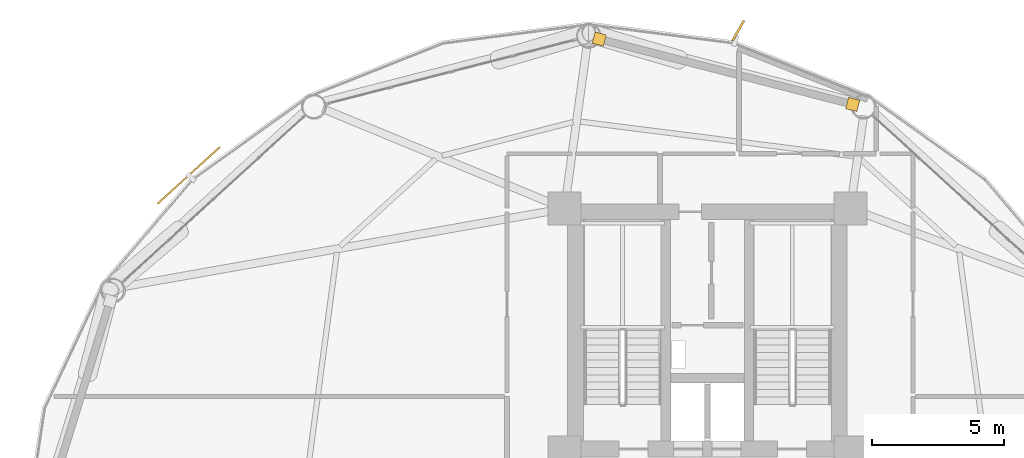
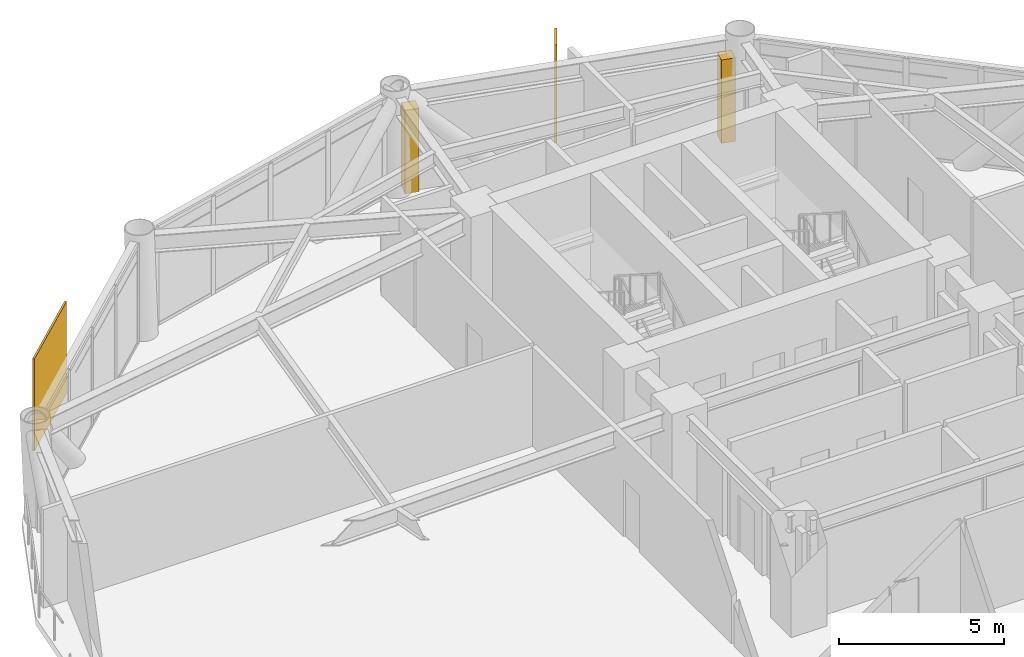
# One storey, part 26 of 26: 2 coverings, 2 shading devices.
"""IFC4 building model written with IfcOpenShell, lengths in metres."""

from ifc_helpers import new_model, si_unit, direction, frame, origin, origin_2d, place, context, subcontext, project, spatial, rectangle, extrude, source, transform, mapped, material, layer, layer_set, type_object, type_shapes, element, save


model = new_model("IFC4")

# Units and contexts
model_context = context("Model", 3, precision=1e-05, world=origin(), true_north=direction((0.0, 1.0)))
body_context = subcontext(model_context, "Body", "Model", "MODEL_VIEW")
ifc_project = project(units=[si_unit("LENGTHUNIT", "METRE"), si_unit("AREAUNIT", "SQUARE_METRE"), si_unit("VOLUMEUNIT", "CUBIC_METRE"), si_unit("PLANEANGLEUNIT", "RADIAN"), si_unit("MASSUNIT", "GRAM", prefix="KILO")], contexts=[model_context])

# Site, building, storey
site_placement = place(None, origin())
site = spatial("IfcSite", under=ifc_project, at=site_placement, CompositionType="ELEMENT")
building_placement = place(site_placement, origin())
building = spatial("IfcBuilding", under=site, at=building_placement, Name="Varnakorn Sky Granary", CompositionType="ELEMENT")
storey_placement = place(building_placement, frame((0.0, 0.0, 47.10009765625)))
storey = spatial("IfcBuildingStorey", under=building, at=storey_placement, Name="L11", CompositionType="ELEMENT", Elevation=47.10009765625)

# Shading device
ifc_material = material(Name="Anodised Bronze Aluminium Alloy 6063-T6", Category="aluminium")
shading_device_type_1 = type_object("IfcShadingDeviceType", Name="SH-FIN-01", PredefinedType="USERDEFINED", material=ifc_material)
shared_shape_1 = source(origin(), body_context, "Body", "SweptSolid", [
    extrude(rectangle(XDim=0.0849609375, YDim=0.8798828125, at=origin_2d()), origin(), (0.0, 0.0, 1.0), 3.60009765625),
])
type_shapes(shading_device_type_1, [shared_shape_1])
shading_device_1_placement = place(storey_placement, frame((4.16796875, 19.368408203125, -0.0400390625), z_axis=(0.0, 0.0, 1.0), x_axis=(-0.867875962217, 0.496780951936, 0.0)))
element("IfcShadingDevice", 1, at=shading_device_1_placement, inside=storey, type_object=shading_device_type_1, Name="Bronze Solar-Tracking Vertical Blade FIN L11-03", ObjectType="FIN", PredefinedType="USERDEFINED", context=body_context, shape_type="MappedRepresentation", body=[
    mapped(shared_shape_1, transform((0.0, 0.0, 0.0), x_axis=(1.0, 0.0, 0.0), y_axis=(0.0, 1.0, 0.0), z_axis=(0.0, 0.0, 1.0), scale=1.0)),
])

# Coverings
ifc_layer = layer(ifc_material, 0.050048828125, Name="Anodised Bronze Aluminium Alloy 6063-T6")
ifc_layer_set = layer_set([ifc_layer], Name="Anodised Bronze Aluminium Alloy 6063-T6")
covering_type = type_object("IfcCoveringType", Name="CV-CLAD-50", PredefinedType="CLADDING", material=ifc_layer_set)
shared_shape_2 = source(origin(), body_context, "Body", "SweptSolid", [
    extrude(rectangle(XDim=0.43994140625, YDim=0.43994140625, at=origin_2d()), origin(), (0.0, 0.0, 1.0), 3.080078125),
])
type_shapes(covering_type, [shared_shape_2])
for number, where, z_axis, x_axis, name in (
    (2, (-1.10107421875, 19.047119140625, -0.02001953125), (0.0, 0.0, 1.0), (0.96836576948, -0.249535040626, 0.0), "Bronze Corner Pilaster Closure L11-P03-A"),
    (3, (8.508544921875, 16.5703125, -0.02001953125), (0.0, 0.0, 1.0), (0.96836576948, -0.249535040626, 0.0), "Bronze Corner Pilaster Closure L11-P03-B"),
):
    element("IfcCovering", number, at=place(storey_placement, frame(where, z_axis=z_axis, x_axis=x_axis)), inside=storey, type_object=covering_type, Name=name, PredefinedType="CLADDING", context=body_context, shape_type="MappedRepresentation", body=[
        mapped(shared_shape_2, transform((0.0, 0.0, 0.0), x_axis=(1.0, 0.0, 0.0), y_axis=(0.0, 1.0, 0.0), z_axis=(0.0, 0.0, 1.0), scale=1.0)),
    ])

# Shading device
shading_device_type_2 = type_object("IfcShadingDeviceType", Name="SH-SCR-01", PredefinedType="USERDEFINED", material=ifc_material)
shared_shape_3 = source(origin(), body_context, "Body", "SweptSolid", [
    extrude(rectangle(XDim=3.199951171875, YDim=0.06494140625, at=origin_2d()), origin(), (0.0, 0.0, 1.0), 3.39990234375),
])
type_shapes(shading_device_type_2, [shared_shape_3])
shading_device_2_placement = place(storey_placement, frame((-16.667724609375, 13.8798828125, -0.0400390625), z_axis=(0.0, 0.0, 1.0), x_axis=(-0.739765523374, -0.672864748986, 0.0)))
element("IfcShadingDevice", 4, at=shading_device_2_placement, inside=storey, type_object=shading_device_type_2, Name="Perforated Bronze Solar Screen Panel SCREEN L11-05", ObjectType="SCREEN", PredefinedType="USERDEFINED", context=body_context, shape_type="MappedRepresentation", body=[
    mapped(shared_shape_3, transform((0.0, 0.0, 0.0), x_axis=(1.0, 0.0, 0.0), y_axis=(0.0, 1.0, 0.0), z_axis=(0.0, 0.0, 1.0), scale=1.0)),
])

save(model, "model.ifc")
